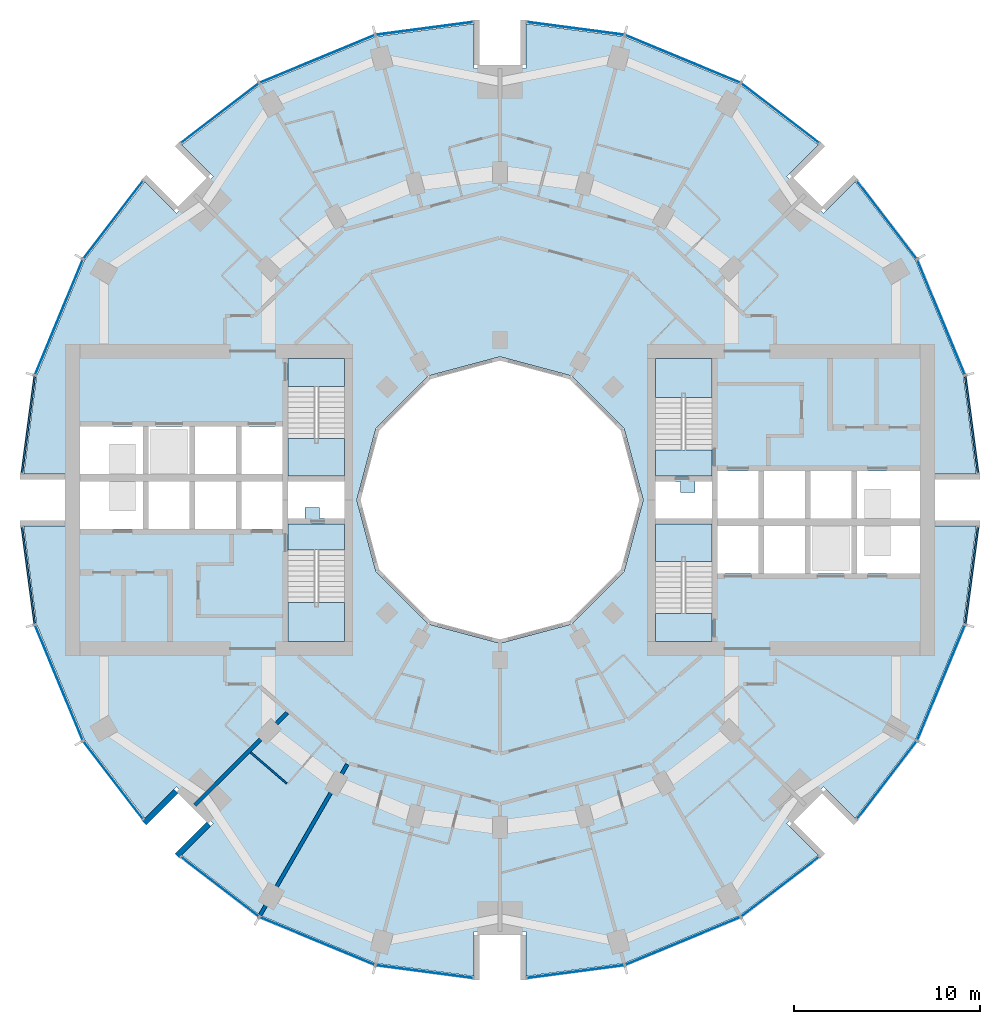
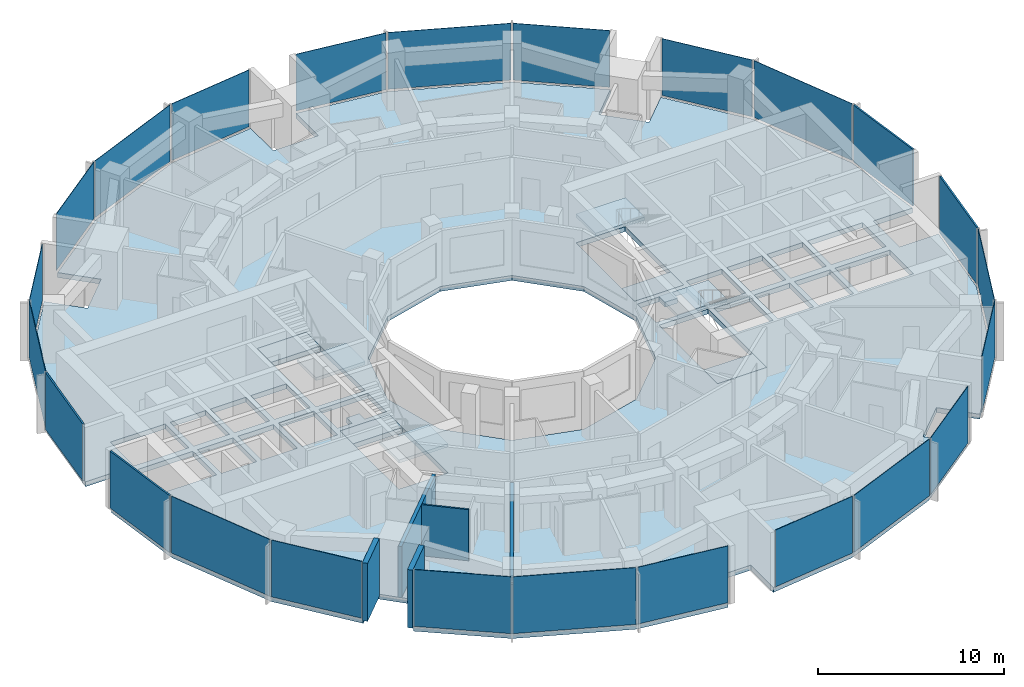
# One storey, part 7 of 15: 24 plates, 9 slabs, 5 walls, 28 elements without a shape of their own.
"""IFC4 building model written with IfcOpenShell, lengths in metres."""

from ifc_helpers import new_model, si_unit, direction, frame, frame_2d, origin, origin_2d, place, context, subcontext, project, spatial, polyline, rectangle, outline, extrude, material, layer, layer_set, type_object, element, aggregate, save


model = new_model("IFC4")

# Units and contexts
model_context = context("Model", 3, precision=1e-05, world=origin(), true_north=direction((0.0, 1.0)))
body_context = subcontext(model_context, "Body", "Model", "MODEL_VIEW")
ifc_project = project(units=[si_unit("LENGTHUNIT", "METRE"), si_unit("AREAUNIT", "SQUARE_METRE"), si_unit("VOLUMEUNIT", "CUBIC_METRE"), si_unit("PLANEANGLEUNIT", "RADIAN"), si_unit("MASSUNIT", "GRAM", prefix="KILO")], contexts=[model_context])

# Site, building, storey
site_placement = place(None, origin())
site = spatial("IfcSite", under=ifc_project, at=site_placement, CompositionType="ELEMENT")
building_placement = place(site_placement, origin())
building = spatial("IfcBuilding", under=site, at=building_placement, Name="Torre Brocal", CompositionType="ELEMENT")
storey_placement = place(building_placement, frame((0.0, 0.0, 44.0)))
storey = spatial("IfcBuildingStorey", under=building, at=storey_placement, Name="L09", CompositionType="ELEMENT", Elevation=44.0)

# Curtain wall, plate
ifc_material_1 = material(Name="Aluminium and glass", Category="aluminium")
ifc_layer_1 = layer(ifc_material_1, 0.199951171875)
ifc_layer_set_1 = layer_set([ifc_layer_1], Name="Aluminium and glass")
curtain_wall_type_1 = type_object("IfcCurtainWallType", Name="CW-1 CURTAIN WALL 3800 HIGH", PredefinedType="NOTDEFINED", material=ifc_layer_set_1)
curtain_wall_1_placement = place(storey_placement, origin())
curtain_wall_1 = element("IfcCurtainWall", 1, at=curtain_wall_1_placement, inside=storey, type_object=curtain_wall_type_1, Name="CW-1 RUN 2", PredefinedType="NOTDEFINED")
ifc_material_2 = material(Name="Glass, dark tinted laminated", Category="glass")
ifc_layer_2 = layer(ifc_material_2, 0.031982421875)
ifc_layer_set_2 = layer_set([ifc_layer_2], Name="Glass, dark tinted laminated")
plate_type_1 = type_object("IfcPlateType", Name="CW-1 GLASS PANEL 32", PredefinedType="CURTAIN_PANEL", material=ifc_layer_set_2)
plate_1_placement = place(storey_placement, frame((103.722900390625, 84.826416015625, 0.080078125), z_axis=(0.0, 0.0, 1.0), x_axis=(-0.382683432333, 0.923879532525, 0.0)))
plate_1 = element("IfcPlate", 2, at=plate_1_placement, type_object=plate_type_1, Name="CW1-1 panel 1.1", PredefinedType="CURTAIN_PANEL", context=body_context, shape_type="SweptSolid", body=[
    extrude(rectangle(XDim=6.64111328125, YDim=0.031982421875, at=origin_2d()), origin(), (0.0, 0.0, 1.0), 3.719970703125),
])
aggregate(curtain_wall_1, [plate_1])

curtain_wall_2_placement = place(storey_placement, origin())
curtain_wall_2 = element("IfcCurtainWall", 3, at=curtain_wall_2_placement, inside=storey, type_object=curtain_wall_type_1, Name="CW-1 RUN 3", PredefinedType="NOTDEFINED")
plate_2_placement = place(storey_placement, frame((100.80126953125, 90.0712890625, 0.080078125), z_axis=(0.0, 0.0, 1.0), x_axis=(-0.60876142905, 0.793353340259, 0.0)))
plate_2 = element("IfcPlate", 4, at=plate_2_placement, type_object=plate_type_1, Name="CW1-1 panel 1.1", PredefinedType="CURTAIN_PANEL", context=body_context, shape_type="SweptSolid", body=[
    extrude(rectangle(XDim=5.22900390625, YDim=0.031982421875, at=origin_2d()), origin(), (0.0, 0.0, 1.0), 3.719970703125),
])
aggregate(curtain_wall_2, [plate_2])

curtain_wall_3_placement = place(storey_placement, origin())
curtain_wall_3 = element("IfcCurtainWall", 5, at=curtain_wall_3_placement, inside=storey, type_object=curtain_wall_type_1, Name="CW-1 RUN 4", PredefinedType="NOTDEFINED")
plate_3_placement = place(storey_placement, frame((95.0712890625, 95.80126953125, 0.080078125), z_axis=(0.0, 0.0, 1.0), x_axis=(-0.793353340259, 0.60876142905, 0.0)))
plate_3 = element("IfcPlate", 6, at=plate_3_placement, type_object=plate_type_1, Name="CW1-1 panel 1.1", PredefinedType="CURTAIN_PANEL", context=body_context, shape_type="SweptSolid", body=[
    extrude(rectangle(XDim=5.22900390625, YDim=0.031982421875, at=origin_2d()), origin(), (0.0, 0.0, 1.0), 3.719970703125),
])
aggregate(curtain_wall_3, [plate_3])

curtain_wall_4_placement = place(storey_placement, origin())
curtain_wall_4 = element("IfcCurtainWall", 7, at=curtain_wall_4_placement, inside=storey, type_object=curtain_wall_type_1, Name="CW-1 RUN 5", PredefinedType="NOTDEFINED")
plate_4_placement = place(storey_placement, frame((89.826416015625, 98.722900390625, 0.080078125), z_axis=(0.0, 0.0, 1.0), x_axis=(-0.923879532525, 0.382683432333, 0.0)))
plate_4 = element("IfcPlate", 8, at=plate_4_placement, type_object=plate_type_1, Name="CW1-1 panel 1.1", PredefinedType="CURTAIN_PANEL", context=body_context, shape_type="SweptSolid", body=[
    extrude(rectangle(XDim=6.64111328125, YDim=0.031982421875, at=origin_2d()), origin(), (0.0, 0.0, 1.0), 3.719970703125),
])
aggregate(curtain_wall_4, [plate_4])

curtain_wall_5_placement = place(storey_placement, origin())
curtain_wall_5 = element("IfcCurtainWall", 9, at=curtain_wall_5_placement, inside=storey, type_object=curtain_wall_type_1, Name="CW-1 RUN 6", PredefinedType="NOTDEFINED")
plate_5_placement = place(storey_placement, frame((84.051513671875, 100.36572265625, 0.080078125), z_axis=(0.0, 0.0, 1.0), x_axis=(-0.991444861374, 0.13052619222, 0.0)))
plate_5 = element("IfcPlate", 10, at=plate_5_placement, type_object=plate_type_1, Name="CW1-1 panel 1.1", PredefinedType="CURTAIN_PANEL", context=body_context, shape_type="SweptSolid", body=[
    extrude(rectangle(XDim=5.22900390625, YDim=0.031982421875, at=origin_2d()), origin(), (0.0, 0.0, 1.0), 3.719970703125),
])
aggregate(curtain_wall_5, [plate_5])

curtain_wall_6_placement = place(storey_placement, origin())
curtain_wall_6 = element("IfcCurtainWall", 11, at=curtain_wall_6_placement, inside=storey, type_object=curtain_wall_type_1, Name="CW-1 RUN 7", PredefinedType="NOTDEFINED")
plate_6_placement = place(storey_placement, frame((75.948486328125, 100.36572265625, 0.080078125), z_axis=(0.0, 0.0, 1.0), x_axis=(-0.991444861374, -0.13052619222, 0.0)))
plate_6 = element("IfcPlate", 12, at=plate_6_placement, type_object=plate_type_1, Name="CW1-1 panel 1.1", PredefinedType="CURTAIN_PANEL", context=body_context, shape_type="SweptSolid", body=[
    extrude(rectangle(XDim=5.22900390625, YDim=0.031982421875, at=origin_2d()), origin(), (0.0, 0.0, 1.0), 3.719970703125),
])
aggregate(curtain_wall_6, [plate_6])

curtain_wall_7_placement = place(storey_placement, origin())
curtain_wall_7 = element("IfcCurtainWall", 13, at=curtain_wall_7_placement, inside=storey, type_object=curtain_wall_type_1, Name="CW-1 RUN 8", PredefinedType="NOTDEFINED")
plate_7_placement = place(storey_placement, frame((70.173583984375, 98.722900390625, 0.080078125), z_axis=(0.0, 0.0, 1.0), x_axis=(-0.923879532525, -0.382683432333, 0.0)))
plate_7 = element("IfcPlate", 14, at=plate_7_placement, type_object=plate_type_1, Name="CW1-1 panel 1.1", PredefinedType="CURTAIN_PANEL", context=body_context, shape_type="SweptSolid", body=[
    extrude(rectangle(XDim=6.64111328125, YDim=0.031982421875, at=origin_2d()), origin(), (0.0, 0.0, 1.0), 3.719970703125),
])
aggregate(curtain_wall_7, [plate_7])

curtain_wall_8_placement = place(storey_placement, origin())
curtain_wall_8 = element("IfcCurtainWall", 15, at=curtain_wall_8_placement, inside=storey, type_object=curtain_wall_type_1, Name="CW-1 RUN 9", PredefinedType="NOTDEFINED")
plate_8_placement = place(storey_placement, frame((64.9287109375, 95.80126953125, 0.080078125), z_axis=(0.0, 0.0, 1.0), x_axis=(-0.793353340259, -0.60876142905, 0.0)))
plate_8 = element("IfcPlate", 16, at=plate_8_placement, type_object=plate_type_1, Name="CW1-1 panel 1.1", PredefinedType="CURTAIN_PANEL", context=body_context, shape_type="SweptSolid", body=[
    extrude(rectangle(XDim=5.22900390625, YDim=0.031982421875, at=origin_2d()), origin(), (0.0, 0.0, 1.0), 3.719970703125),
])
aggregate(curtain_wall_8, [plate_8])

curtain_wall_9_placement = place(storey_placement, origin())
curtain_wall_9 = element("IfcCurtainWall", 17, at=curtain_wall_9_placement, inside=storey, type_object=curtain_wall_type_1, Name="CW-1 RUN 10", PredefinedType="NOTDEFINED")
plate_9_placement = place(storey_placement, frame((59.19873046875, 90.0712890625, 0.080078125), z_axis=(0.0, 0.0, 1.0), x_axis=(-0.60876142905, -0.793353340259, 0.0)))
plate_9 = element("IfcPlate", 18, at=plate_9_placement, type_object=plate_type_1, Name="CW1-1 panel 1.1", PredefinedType="CURTAIN_PANEL", context=body_context, shape_type="SweptSolid", body=[
    extrude(rectangle(XDim=5.22900390625, YDim=0.031982421875, at=origin_2d()), origin(), (0.0, 0.0, 1.0), 3.719970703125),
])
aggregate(curtain_wall_9, [plate_9])

curtain_wall_10_placement = place(storey_placement, origin())
curtain_wall_10 = element("IfcCurtainWall", 19, at=curtain_wall_10_placement, inside=storey, type_object=curtain_wall_type_1, Name="CW-1 RUN 11", PredefinedType="NOTDEFINED")
plate_10_placement = place(storey_placement, frame((56.277099609375, 84.826416015625, 0.080078125), z_axis=(0.0, 0.0, 1.0), x_axis=(-0.382683432333, -0.923879532525, 0.0)))
plate_10 = element("IfcPlate", 20, at=plate_10_placement, type_object=plate_type_1, Name="CW1-1 panel 1.1", PredefinedType="CURTAIN_PANEL", context=body_context, shape_type="SweptSolid", body=[
    extrude(rectangle(XDim=6.64111328125, YDim=0.031982421875, at=origin_2d()), origin(), (0.0, 0.0, 1.0), 3.719970703125),
])
aggregate(curtain_wall_10, [plate_10])

curtain_wall_11_placement = place(storey_placement, origin())
curtain_wall_11 = element("IfcCurtainWall", 21, at=curtain_wall_11_placement, inside=storey, type_object=curtain_wall_type_1, Name="CW-1 RUN 14", PredefinedType="NOTDEFINED")
plate_11_placement = place(storey_placement, frame((56.277099609375, 65.173583984375, 0.080078125), z_axis=(0.0, 0.0, 1.0), x_axis=(0.382683432333, -0.923879532525, 0.0)))
plate_11 = element("IfcPlate", 22, at=plate_11_placement, type_object=plate_type_1, Name="CW1-1 panel 1.1", PredefinedType="CURTAIN_PANEL", context=body_context, shape_type="SweptSolid", body=[
    extrude(rectangle(XDim=6.64111328125, YDim=0.031982421875, at=origin_2d()), origin(), (0.0, 0.0, 1.0), 3.719970703125),
])
aggregate(curtain_wall_11, [plate_11])

curtain_wall_12_placement = place(storey_placement, origin())
curtain_wall_12 = element("IfcCurtainWall", 23, at=curtain_wall_12_placement, inside=storey, type_object=curtain_wall_type_1, Name="CW-1 RUN 15", PredefinedType="NOTDEFINED")
plate_12_placement = place(storey_placement, frame((59.19873046875, 59.9287109375, 0.080078125), z_axis=(0.0, 0.0, 1.0), x_axis=(0.60876142905, -0.793353340259, 0.0)))
plate_12 = element("IfcPlate", 24, at=plate_12_placement, type_object=plate_type_1, Name="CW1-1 panel 1.1", PredefinedType="CURTAIN_PANEL", context=body_context, shape_type="SweptSolid", body=[
    extrude(rectangle(XDim=5.22900390625, YDim=0.031982421875, at=origin_2d()), origin(), (0.0, 0.0, 1.0), 3.719970703125),
])
aggregate(curtain_wall_12, [plate_12])

curtain_wall_13_placement = place(storey_placement, origin())
curtain_wall_13 = element("IfcCurtainWall", 25, at=curtain_wall_13_placement, inside=storey, type_object=curtain_wall_type_1, Name="CW-1 RUN 16", PredefinedType="NOTDEFINED")
plate_13_placement = place(storey_placement, frame((64.9287109375, 54.19873046875, 0.080078125), z_axis=(0.0, 0.0, 1.0), x_axis=(0.793353340259, -0.60876142905, 0.0)))
plate_13 = element("IfcPlate", 26, at=plate_13_placement, type_object=plate_type_1, Name="CW1-1 panel 1.1", PredefinedType="CURTAIN_PANEL", context=body_context, shape_type="SweptSolid", body=[
    extrude(rectangle(XDim=5.22900390625, YDim=0.031982421875, at=origin_2d()), origin(), (0.0, 0.0, 1.0), 3.719970703125),
])
aggregate(curtain_wall_13, [plate_13])

curtain_wall_14_placement = place(storey_placement, origin())
curtain_wall_14 = element("IfcCurtainWall", 27, at=curtain_wall_14_placement, inside=storey, type_object=curtain_wall_type_1, Name="CW-1 RUN 17", PredefinedType="NOTDEFINED")
plate_14_placement = place(storey_placement, frame((70.173583984375, 51.277099609375, 0.080078125), z_axis=(0.0, 0.0, 1.0), x_axis=(0.923879532525, -0.382683432333, 0.0)))
plate_14 = element("IfcPlate", 28, at=plate_14_placement, type_object=plate_type_1, Name="CW1-1 panel 1.1", PredefinedType="CURTAIN_PANEL", context=body_context, shape_type="SweptSolid", body=[
    extrude(rectangle(XDim=6.64111328125, YDim=0.031982421875, at=origin_2d()), origin(), (0.0, 0.0, 1.0), 3.719970703125),
])
aggregate(curtain_wall_14, [plate_14])

curtain_wall_15_placement = place(storey_placement, origin())
curtain_wall_15 = element("IfcCurtainWall", 29, at=curtain_wall_15_placement, inside=storey, type_object=curtain_wall_type_1, Name="CW-1 RUN 18", PredefinedType="NOTDEFINED")
plate_15_placement = place(storey_placement, frame((75.948486328125, 49.63427734375, 0.080078125), z_axis=(0.0, 0.0, 1.0), x_axis=(0.991444861374, -0.13052619222, 0.0)))
plate_15 = element("IfcPlate", 30, at=plate_15_placement, type_object=plate_type_1, Name="CW1-1 panel 1.1", PredefinedType="CURTAIN_PANEL", context=body_context, shape_type="SweptSolid", body=[
    extrude(rectangle(XDim=5.22900390625, YDim=0.031982421875, at=origin_2d()), origin(), (0.0, 0.0, 1.0), 3.719970703125),
])
aggregate(curtain_wall_15, [plate_15])

curtain_wall_16_placement = place(storey_placement, origin())
curtain_wall_16 = element("IfcCurtainWall", 31, at=curtain_wall_16_placement, inside=storey, type_object=curtain_wall_type_1, Name="CW-1 RUN 19", PredefinedType="NOTDEFINED")
plate_16_placement = place(storey_placement, frame((84.051513671875, 49.63427734375, 0.080078125), z_axis=(0.0, 0.0, 1.0), x_axis=(0.991444861374, 0.13052619222, 0.0)))
plate_16 = element("IfcPlate", 32, at=plate_16_placement, type_object=plate_type_1, Name="CW1-1 panel 1.1", PredefinedType="CURTAIN_PANEL", context=body_context, shape_type="SweptSolid", body=[
    extrude(rectangle(XDim=5.22900390625, YDim=0.031982421875, at=origin_2d()), origin(), (0.0, 0.0, 1.0), 3.719970703125),
])
aggregate(curtain_wall_16, [plate_16])

curtain_wall_17_placement = place(storey_placement, origin())
curtain_wall_17 = element("IfcCurtainWall", 33, at=curtain_wall_17_placement, inside=storey, type_object=curtain_wall_type_1, Name="CW-1 RUN 20", PredefinedType="NOTDEFINED")
plate_17_placement = place(storey_placement, frame((89.826416015625, 51.277099609375, 0.080078125), z_axis=(0.0, 0.0, 1.0), x_axis=(0.923879532525, 0.382683432333, 0.0)))
plate_17 = element("IfcPlate", 34, at=plate_17_placement, type_object=plate_type_1, Name="CW1-1 panel 1.1", PredefinedType="CURTAIN_PANEL", context=body_context, shape_type="SweptSolid", body=[
    extrude(rectangle(XDim=6.64111328125, YDim=0.031982421875, at=origin_2d()), origin(), (0.0, 0.0, 1.0), 3.719970703125),
])
aggregate(curtain_wall_17, [plate_17])

curtain_wall_18_placement = place(storey_placement, origin())
curtain_wall_18 = element("IfcCurtainWall", 35, at=curtain_wall_18_placement, inside=storey, type_object=curtain_wall_type_1, Name="CW-1 RUN 21", PredefinedType="NOTDEFINED")
plate_18_placement = place(storey_placement, frame((95.0712890625, 54.19873046875, 0.080078125), z_axis=(0.0, 0.0, 1.0), x_axis=(0.793353340259, 0.60876142905, 0.0)))
plate_18 = element("IfcPlate", 36, at=plate_18_placement, type_object=plate_type_1, Name="CW1-1 panel 1.1", PredefinedType="CURTAIN_PANEL", context=body_context, shape_type="SweptSolid", body=[
    extrude(rectangle(XDim=5.22900390625, YDim=0.031982421875, at=origin_2d()), origin(), (0.0, 0.0, 1.0), 3.719970703125),
])
aggregate(curtain_wall_18, [plate_18])

curtain_wall_19_placement = place(storey_placement, origin())
curtain_wall_19 = element("IfcCurtainWall", 37, at=curtain_wall_19_placement, inside=storey, type_object=curtain_wall_type_1, Name="CW-1 RUN 22", PredefinedType="NOTDEFINED")
plate_19_placement = place(storey_placement, frame((100.80126953125, 59.9287109375, 0.080078125), z_axis=(0.0, 0.0, 1.0), x_axis=(0.60876142905, 0.793353340259, 0.0)))
plate_19 = element("IfcPlate", 38, at=plate_19_placement, type_object=plate_type_1, Name="CW1-1 panel 1.1", PredefinedType="CURTAIN_PANEL", context=body_context, shape_type="SweptSolid", body=[
    extrude(rectangle(XDim=5.22900390625, YDim=0.031982421875, at=origin_2d()), origin(), (0.0, 0.0, 1.0), 3.719970703125),
])
aggregate(curtain_wall_19, [plate_19])

curtain_wall_20_placement = place(storey_placement, origin())
curtain_wall_20 = element("IfcCurtainWall", 39, at=curtain_wall_20_placement, inside=storey, type_object=curtain_wall_type_1, Name="CW-1 RUN 23", PredefinedType="NOTDEFINED")
plate_20_placement = place(storey_placement, frame((103.722900390625, 65.173583984375, 0.080078125), z_axis=(0.0, 0.0, 1.0), x_axis=(0.382683432333, 0.923879532525, 0.0)))
plate_20 = element("IfcPlate", 40, at=plate_20_placement, type_object=plate_type_1, Name="CW1-1 panel 1.1", PredefinedType="CURTAIN_PANEL", context=body_context, shape_type="SweptSolid", body=[
    extrude(rectangle(XDim=6.64111328125, YDim=0.031982421875, at=origin_2d()), origin(), (0.0, 0.0, 1.0), 3.719970703125),
])
aggregate(curtain_wall_20, [plate_20])

ifc_material_3 = material(Name="Aluminium and glass", Category="aluminium")
ifc_layer_3 = layer(ifc_material_3, 0.199951171875)
ifc_layer_set_3 = layer_set([ifc_layer_3], Name="Aluminium and glass")
curtain_wall_type_2 = type_object("IfcCurtainWallType", Name="CW-1B CURTAIN WALL 3800 HIGH", PredefinedType="NOTDEFINED", material=ifc_layer_set_3)
curtain_wall_21_placement = place(storey_placement, origin())
curtain_wall_21 = element("IfcCurtainWall", 41, at=curtain_wall_21_placement, inside=storey, type_object=curtain_wall_type_2, Name="CW-1B RUN 1", PredefinedType="NOTDEFINED")
ifc_material_4 = material(Name="Aluminium composite panel", Category="aluminium")
ifc_layer_4 = layer(ifc_material_4, 0.10009765625)
ifc_layer_set_4 = layer_set([ifc_layer_4], Name="Aluminium composite panel")
plate_type_2 = type_object("IfcPlateType", Name="CW-1B OPAQUE PANEL 100", PredefinedType="CURTAIN_PANEL", material=ifc_layer_set_4)
plate_21_placement = place(storey_placement, frame((105.36572265625, 79.051513671875, 0.080078125), z_axis=(0.0, 0.0, 1.0), x_axis=(-0.13052619222, 0.991444861374, 0.0)))
plate_21 = element("IfcPlate", 42, at=plate_21_placement, type_object=plate_type_2, Name="CW1B-1 panel 1.1", PredefinedType="CURTAIN_PANEL", context=body_context, shape_type="SweptSolid", body=[
    extrude(rectangle(XDim=5.22900390625, YDim=0.10009765625, at=origin_2d()), origin(), (0.0, 0.0, 1.0), 3.719970703125),
])
aggregate(curtain_wall_21, [plate_21])

curtain_wall_22_placement = place(storey_placement, origin())
curtain_wall_22 = element("IfcCurtainWall", 43, at=curtain_wall_22_placement, inside=storey, type_object=curtain_wall_type_2, Name="CW-1B RUN 12", PredefinedType="NOTDEFINED")
plate_22_placement = place(storey_placement, frame((54.63427734375, 79.051513671875, 0.080078125), z_axis=(0.0, 0.0, 1.0), x_axis=(-0.13052619222, -0.991444861374, 0.0)))
plate_22 = element("IfcPlate", 44, at=plate_22_placement, type_object=plate_type_2, Name="CW1B-1 panel 1.1", PredefinedType="CURTAIN_PANEL", context=body_context, shape_type="SweptSolid", body=[
    extrude(rectangle(XDim=5.22900390625, YDim=0.10009765625, at=origin_2d()), origin(), (0.0, 0.0, 1.0), 3.719970703125),
])
aggregate(curtain_wall_22, [plate_22])

curtain_wall_23_placement = place(storey_placement, origin())
curtain_wall_23 = element("IfcCurtainWall", 45, at=curtain_wall_23_placement, inside=storey, type_object=curtain_wall_type_2, Name="CW-1B RUN 13", PredefinedType="NOTDEFINED")
plate_23_placement = place(storey_placement, frame((54.63427734375, 70.948486328125, 0.080078125), z_axis=(0.0, 0.0, 1.0), x_axis=(0.13052619222, -0.991444861374, 0.0)))
plate_23 = element("IfcPlate", 46, at=plate_23_placement, type_object=plate_type_2, Name="CW1B-1 panel 1.1", PredefinedType="CURTAIN_PANEL", context=body_context, shape_type="SweptSolid", body=[
    extrude(rectangle(XDim=5.22900390625, YDim=0.10009765625, at=origin_2d()), origin(), (0.0, 0.0, 1.0), 3.719970703125),
])
aggregate(curtain_wall_23, [plate_23])

curtain_wall_24_placement = place(storey_placement, origin())
curtain_wall_24 = element("IfcCurtainWall", 47, at=curtain_wall_24_placement, inside=storey, type_object=curtain_wall_type_2, Name="CW-1B RUN 24", PredefinedType="NOTDEFINED")
plate_24_placement = place(storey_placement, frame((105.36572265625, 70.948486328125, 0.080078125), z_axis=(0.0, 0.0, 1.0), x_axis=(0.13052619222, 0.991444861374, 0.0)))
plate_24 = element("IfcPlate", 48, at=plate_24_placement, type_object=plate_type_2, Name="CW1B-1 panel 1.1", PredefinedType="CURTAIN_PANEL", context=body_context, shape_type="SweptSolid", body=[
    extrude(rectangle(XDim=5.22900390625, YDim=0.10009765625, at=origin_2d()), origin(), (0.0, 0.0, 1.0), 3.719970703125),
])
aggregate(curtain_wall_24, [plate_24])

# Stair, slab
ifc_material_5 = material(Name="Concrete C50", Category="concrete")
stair_type = type_object("IfcStairType", Name="EXIT STAIR", PredefinedType="HALF_TURN_STAIR", material=ifc_material_5)
stair_1_placement = place(storey_placement, origin())
stair_1 = element("IfcStair", 49, at=stair_1_placement, inside=storey, type_object=stair_type, Name="EXIT STAIR ST1", PredefinedType="HALF_TURN_STAIR")
ifc_material_6 = material(Name="Concrete C50", Category="concrete")
ifc_layer_5 = layer(ifc_material_6, 0.320068359375)
ifc_layer_set_5 = layer_set([ifc_layer_5], Name="Concrete C50")
slab_type_1 = type_object("IfcSlabType", Name="FLOOR LANDING 320", PredefinedType="LANDING", material=ifc_layer_set_5)
slab_1_placement = place(storey_placement, frame((0.0, 0.0, -0.320068359375)))
slab_1 = element("IfcSlab", 50, at=slab_1_placement, type_object=slab_type_1, Name="ST1 landing 1", PredefinedType="LANDING", context=body_context, shape_type="SweptSolid", body=[
    extrude(outline(polyline([(88.35009765625, 76.300048828125), (91.39990234375, 76.300048828125), (91.39990234375, 77.699951171875), (88.35009765625, 77.699951171875), (88.35009765625, 76.300048828125)])), origin(), (0.0, 0.0, 1.0), 0.320068359375),
])

stair_2_placement = place(storey_placement, origin())
stair_2 = element("IfcStair", 51, at=stair_2_placement, inside=storey, type_object=stair_type, Name="EXIT STAIR ST2", PredefinedType="HALF_TURN_STAIR")
slab_2_placement = place(storey_placement, frame((0.0, 0.0, -0.320068359375)))
slab_2 = element("IfcSlab", 52, at=slab_2_placement, type_object=slab_type_1, Name="ST2 landing 1", PredefinedType="LANDING", context=body_context, shape_type="SweptSolid", body=[
    extrude(outline(polyline([(88.35009765625, 67.39990234375), (91.39990234375, 67.39990234375), (91.39990234375, 68.89990234375), (88.35009765625, 68.89990234375), (88.35009765625, 67.39990234375)])), origin(), (0.0, 0.0, 1.0), 0.320068359375),
])

stair_3_placement = place(storey_placement, origin())
stair_3 = element("IfcStair", 53, at=stair_3_placement, inside=storey, type_object=stair_type, Name="EXIT STAIR ST3", PredefinedType="HALF_TURN_STAIR")
slab_3_placement = place(storey_placement, frame((0.0, 0.0, -0.320068359375)))
slab_3 = element("IfcSlab", 54, at=slab_3_placement, type_object=slab_type_1, Name="ST3 landing 1", PredefinedType="LANDING", context=body_context, shape_type="SweptSolid", body=[
    extrude(outline(polyline([(71.64990234375, 73.699951171875), (68.60009765625, 73.699951171875), (68.60009765625, 72.300048828125), (71.64990234375, 72.300048828125), (71.64990234375, 73.699951171875)])), origin(), (0.0, 0.0, 1.0), 0.320068359375),
])

stair_4_placement = place(storey_placement, origin())
stair_4 = element("IfcStair", 55, at=stair_4_placement, inside=storey, type_object=stair_type, Name="EXIT STAIR ST4", PredefinedType="HALF_TURN_STAIR")
slab_4_placement = place(storey_placement, frame((0.0, 0.0, -0.320068359375)))
slab_4 = element("IfcSlab", 56, at=slab_4_placement, type_object=slab_type_1, Name="ST4 landing 1", PredefinedType="LANDING", context=body_context, shape_type="SweptSolid", body=[
    extrude(outline(polyline([(71.64990234375, 82.60009765625), (68.60009765625, 82.60009765625), (68.60009765625, 81.10009765625), (71.64990234375, 81.10009765625), (71.64990234375, 82.60009765625)])), origin(), (0.0, 0.0, 1.0), 0.320068359375),
])

# Slab
ifc_material_7 = material(Name="Concrete C50", Category="concrete")
ifc_layer_6 = layer(ifc_material_7, 0.199951171875)
ifc_layer_set_6 = layer_set([ifc_layer_6], Name="Concrete C50")
slab_type_2 = type_object("IfcSlabType", Name="MID LANDING +1900", PredefinedType="LANDING", material=ifc_layer_set_6)
slab_5_placement = place(storey_placement, frame((0.0, 0.0, 1.699951171875)))
slab_5 = element("IfcSlab", 57, at=slab_5_placement, type_object=slab_type_2, Name="ST1 landing 2", PredefinedType="LANDING", context=body_context, shape_type="SweptSolid", body=[
    extrude(outline(polyline([(88.35009765625, 80.5), (91.39990234375, 80.5), (91.39990234375, 82.60009765625), (88.35009765625, 82.60009765625), (88.35009765625, 80.5)])), origin(), (0.0, 0.0, 1.0), 0.199951171875),
])

aggregate(stair_1, [slab_1, slab_5])

slab_6_placement = place(storey_placement, frame((0.0, 0.0, 1.699951171875)))
slab_6 = element("IfcSlab", 58, at=slab_6_placement, type_object=slab_type_2, Name="ST2 landing 2", PredefinedType="LANDING", context=body_context, shape_type="SweptSolid", body=[
    extrude(outline(polyline([(88.35009765625, 71.699951171875), (91.39990234375, 71.699951171875), (91.39990234375, 73.699951171875), (88.35009765625, 73.699951171875), (88.35009765625, 71.699951171875)])), origin(), (0.0, 0.0, 1.0), 0.199951171875),
])

aggregate(stair_2, [slab_2, slab_6])

slab_7_placement = place(storey_placement, frame((0.0, 0.0, 1.699951171875)))
slab_7 = element("IfcSlab", 59, at=slab_7_placement, type_object=slab_type_2, Name="ST3 landing 2", PredefinedType="LANDING", context=body_context, shape_type="SweptSolid", body=[
    extrude(outline(polyline([(71.64990234375, 69.5), (68.60009765625, 69.5), (68.60009765625, 67.39990234375), (71.64990234375, 67.39990234375), (71.64990234375, 69.5)])), origin(), (0.0, 0.0, 1.0), 0.199951171875),
])

aggregate(stair_3, [slab_3, slab_7])

slab_8_placement = place(storey_placement, frame((0.0, 0.0, 1.699951171875)))
slab_8 = element("IfcSlab", 60, at=slab_8_placement, type_object=slab_type_2, Name="ST4 landing 2", PredefinedType="LANDING", context=body_context, shape_type="SweptSolid", body=[
    extrude(outline(polyline([(71.64990234375, 78.300048828125), (68.60009765625, 78.300048828125), (68.60009765625, 76.300048828125), (71.64990234375, 76.300048828125), (71.64990234375, 78.300048828125)])), origin(), (0.0, 0.0, 1.0), 0.199951171875),
])

aggregate(stair_4, [slab_4, slab_8])

ifc_material_8 = material(Name="Concrete C45", Category="concrete")
ifc_layer_7 = layer(ifc_material_8, 0.320068359375)
ifc_layer_set_7 = layer_set([ifc_layer_7], Name="Concrete C45")
slab_type_3 = type_object("IfcSlabType", Name="PT FLOOR SLAB 320 C45", PredefinedType="FLOOR", material=ifc_layer_set_7)
slab_9_placement = place(storey_placement, frame((0.0, 0.0, -0.320068359375)))
element("IfcSlab", 61, at=slab_9_placement, inside=storey, type_object=slab_type_3, Name="Slab ST-05", PredefinedType="FLOOR", context=body_context, shape_type="SweptSolid", body=[
    extrude(outline(polyline([(103.199951171875, 76.39990234375), (103.199951171875, 73.60009765625), (105.614013671875, 73.60009765625), (104.919189453125, 68.322998046875), (102.342041015625, 62.100830078125), (99.101806640625, 57.878173828125), (97.394775390625, 59.5849609375), (95.4150390625, 57.605224609375), (97.121826171875, 55.898193359375), (92.899169921875, 52.657958984375), (86.677001953125, 50.080810546875), (81.39990234375, 49.385986328125), (81.39990234375, 51.800048828125), (78.60009765625, 51.800048828125), (78.60009765625, 49.385986328125), (73.322998046875, 50.080810546875), (67.100830078125, 52.657958984375), (62.878173828125, 55.898193359375), (64.5849609375, 57.605224609375), (62.605224609375, 59.5849609375), (60.898193359375, 57.878173828125), (57.657958984375, 62.100830078125), (55.080810546875, 68.322998046875), (54.385986328125, 73.60009765625), (56.800048828125, 73.60009765625), (56.800048828125, 76.39990234375), (54.385986328125, 76.39990234375), (55.080810546875, 81.677001953125), (57.657958984375, 87.899169921875), (60.898193359375, 92.121826171875), (62.605224609375, 90.4150390625), (64.5849609375, 92.394775390625), (62.878173828125, 94.101806640625), (67.100830078125, 97.342041015625), (73.322998046875, 99.919189453125), (78.60009765625, 100.614013671875), (78.60009765625, 98.199951171875), (81.39990234375, 98.199951171875), (81.39990234375, 100.614013671875), (86.677001953125, 99.919189453125), (92.899169921875, 97.342041015625), (97.121826171875, 94.101806640625), (95.4150390625, 92.394775390625), (97.394775390625, 90.4150390625), (99.101806640625, 92.121826171875), (102.342041015625, 87.899169921875), (104.919189453125, 81.677001953125), (105.614013671875, 76.39990234375), (103.199951171875, 76.39990234375)]), holes=[polyline([(102.60009765625, 74.0), (102.60009765625, 76.550048828125), (99.199951171875, 76.550048828125), (99.199951171875, 74.0), (102.60009765625, 74.0)]), polyline([(102.60009765625, 71.050048828125), (102.60009765625, 73.60009765625), (99.199951171875, 73.60009765625), (99.199951171875, 71.050048828125), (102.60009765625, 71.050048828125)]), polyline([(98.89990234375, 76.550048828125), (96.699951171875, 76.550048828125), (96.699951171875, 74.0), (98.89990234375, 74.0), (98.89990234375, 76.550048828125)]), polyline([(98.89990234375, 71.050048828125), (98.89990234375, 73.60009765625), (96.699951171875, 73.60009765625), (96.699951171875, 71.050048828125), (98.89990234375, 71.050048828125)]), polyline([(96.39990234375, 73.60009765625), (94.199951171875, 73.60009765625), (94.199951171875, 71.050048828125), (96.39990234375, 71.050048828125), (96.39990234375, 73.60009765625)]), polyline([(96.39990234375, 74.0), (96.39990234375, 76.550048828125), (94.199951171875, 76.550048828125), (94.199951171875, 74.0), (96.39990234375, 74.0)]), polyline([(93.89990234375, 73.60009765625), (91.699951171875, 73.60009765625), (91.699951171875, 71.050048828125), (93.89990234375, 71.050048828125), (93.89990234375, 73.60009765625)]), polyline([(93.89990234375, 74.0), (93.89990234375, 76.550048828125), (91.699951171875, 76.550048828125), (91.699951171875, 74.0), (93.89990234375, 74.0)]), polyline([(91.39990234375, 76.300048828125), (91.39990234375, 82.60009765625), (88.35009765625, 82.60009765625), (88.35009765625, 76.300048828125), (91.39990234375, 76.300048828125)]), polyline([(91.39990234375, 73.699951171875), (88.35009765625, 73.699951171875), (88.35009765625, 67.39990234375), (91.39990234375, 67.39990234375), (91.39990234375, 73.699951171875)]), polyline([(89.699951171875, 76.0), (88.35009765625, 76.0), (88.35009765625, 74.0), (91.39990234375, 74.0), (91.39990234375, 76.0), (90.5, 76.0), (90.5, 75.39990234375), (89.699951171875, 75.39990234375), (89.699951171875, 76.0)]), polyline([(80.0, 82.70703125), (76.146484375, 81.674560546875), (73.325439453125, 78.853515625), (72.29296875, 75.0), (73.325439453125, 71.146484375), (76.146484375, 68.325439453125), (80.0, 67.29296875), (83.853515625, 68.325439453125), (86.674560546875, 71.146484375), (87.70703125, 75.0), (86.674560546875, 78.853515625), (83.853515625, 81.674560546875), (80.0, 82.70703125)]), polyline([(68.60009765625, 82.60009765625), (68.60009765625, 76.300048828125), (71.64990234375, 76.300048828125), (71.64990234375, 82.60009765625), (68.60009765625, 82.60009765625)]), polyline([(70.300048828125, 74.0), (71.64990234375, 74.0), (71.64990234375, 76.0), (68.60009765625, 76.0), (68.60009765625, 74.0), (69.5, 74.0), (69.5, 74.60009765625), (70.300048828125, 74.60009765625), (70.300048828125, 74.0)]), polyline([(68.60009765625, 67.39990234375), (71.64990234375, 67.39990234375), (71.64990234375, 73.699951171875), (68.60009765625, 73.699951171875), (68.60009765625, 67.39990234375)]), polyline([(66.10009765625, 78.949951171875), (66.10009765625, 76.39990234375), (68.300048828125, 76.39990234375), (68.300048828125, 78.949951171875), (66.10009765625, 78.949951171875)]), polyline([(66.10009765625, 76.0), (66.10009765625, 73.449951171875), (68.300048828125, 73.449951171875), (68.300048828125, 76.0), (66.10009765625, 76.0)]), polyline([(63.60009765625, 76.0), (63.60009765625, 73.449951171875), (65.800048828125, 73.449951171875), (65.800048828125, 76.0), (63.60009765625, 76.0)]), polyline([(63.60009765625, 76.39990234375), (65.800048828125, 76.39990234375), (65.800048828125, 78.949951171875), (63.60009765625, 78.949951171875), (63.60009765625, 76.39990234375)]), polyline([(61.10009765625, 78.949951171875), (61.10009765625, 76.39990234375), (63.300048828125, 76.39990234375), (63.300048828125, 78.949951171875), (61.10009765625, 78.949951171875)]), polyline([(61.10009765625, 73.449951171875), (63.300048828125, 73.449951171875), (63.300048828125, 76.0), (61.10009765625, 76.0), (61.10009765625, 73.449951171875)]), polyline([(57.39990234375, 73.449951171875), (60.800048828125, 73.449951171875), (60.800048828125, 76.0), (57.39990234375, 76.0), (57.39990234375, 73.449951171875)]), polyline([(57.39990234375, 78.949951171875), (57.39990234375, 76.39990234375), (60.800048828125, 76.39990234375), (60.800048828125, 78.949951171875), (57.39990234375, 78.949951171875)])]), origin(), (0.0, 0.0, 1.0), 0.320068359375),
])

# Walls
ifc_material_9 = material(Name="Concrete C80", Category="concrete")
ifc_layer_8 = layer(ifc_material_9, 0.300048828125)
ifc_layer_set_8 = layer_set([ifc_layer_8], Name="Concrete C80")
wall_type_1 = type_object("IfcWallType", Name="NOTCH RETURN WALL 300 C80", PredefinedType="NOTDEFINED", material=ifc_layer_set_8)
for number, where, z_axis, x_axis, name in (
    (62, (62.56982421875, 59.337646484375, 0.0), (0.0, 0.0, 1.0), (-0.707106781187, -0.707106781187, 0.0), "NOTCH RETURN WALL"),
    (63, (64.337646484375, 57.56982421875, 0.0), (0.0, 0.0, 1.0), (-0.707106781187, -0.707106781187, 0.0), "NOTCH RETURN WALL"),
):
    element("IfcWall", number, at=place(storey_placement, frame(where, z_axis=z_axis, x_axis=x_axis)), inside=storey, type_object=wall_type_1, Name=name, PredefinedType="NOTDEFINED", context=body_context, shape_type="SweptSolid", body=[
        extrude(rectangle(XDim=2.415771484375, YDim=0.300048828125, at=frame_2d((1.2080078125, 0.0))), origin(), (0.0, 0.0, 1.0), 3.800048828125),
    ])
ifc_material_10 = material(Name="Gypsum board", Category="Gypsum")
ifc_layer_9 = layer(ifc_material_10, 0.10009765625)
ifc_layer_set_9 = layer_set([ifc_layer_9], Name="Gypsum board")
wall_type_2 = type_object("IfcWallType", Name="PARTITION 100", PredefinedType="PARTITIONING", material=ifc_layer_set_9)
wall_1_placement = place(storey_placement, frame((66.57568359375, 61.434814453125, 0.0), z_axis=(0.0, 0.0, 1.0), x_axis=(0.757970550281, -0.652288774169, 0.0)))
element("IfcWall", 64, at=wall_1_placement, inside=storey, type_object=wall_type_2, Name="BATHROOM WALL", PredefinedType="PARTITIONING", context=body_context, shape_type="SweptSolid", body=[
    extrude(rectangle(XDim=2.575927734375, YDim=0.10009765625, at=frame_2d((1.2880859375, 0.0))), origin(), (0.0, 0.0, 1.0), 3.35009765625),
])
ifc_material_11 = material(Name="Gypsum board", Category="Gypsum")
ifc_layer_10 = layer(ifc_material_11, 0.199951171875)
ifc_layer_set_10 = layer_set([ifc_layer_10], Name="Gypsum board")
wall_type_3 = type_object("IfcWallType", Name="PARTITION 200 EI60", PredefinedType="PARTITIONING", material=ifc_layer_set_10)
wall_2_placement = place(storey_placement, frame((63.593505859375, 58.597900390625, 0.0), z_axis=(0.0, 0.0, 1.0), x_axis=(0.707228748718, 0.706984792613, 0.0)))
element("IfcWall", 65, at=wall_2_placement, inside=storey, type_object=wall_type_3, Name="BATHROOM WALL", PredefinedType="PARTITIONING", context=body_context, shape_type="SweptSolid", body=[
    extrude(rectangle(XDim=7.00537109375, YDim=0.199951171875, at=frame_2d((3.502685546875, 0.0))), origin(), (0.0, 0.0, 1.0), 3.35009765625),
])
wall_3_placement = place(storey_placement, frame((67.09423828125, 52.66259765625, 0.0), z_axis=(0.0, 0.0, 1.0), x_axis=(0.500216854217, 0.865900166738, 0.0)))
element("IfcWall", 66, at=wall_3_placement, inside=storey, type_object=wall_type_3, Name="PARTY PARTITION", PredefinedType="PARTITIONING", context=body_context, shape_type="SweptSolid", body=[
    extrude(rectangle(XDim=9.374755859375, YDim=0.199951171875, at=frame_2d((4.6875, 0.0))), origin(), (0.0, 0.0, 1.0), 3.35009765625),
])

save(model, "model.ifc")
